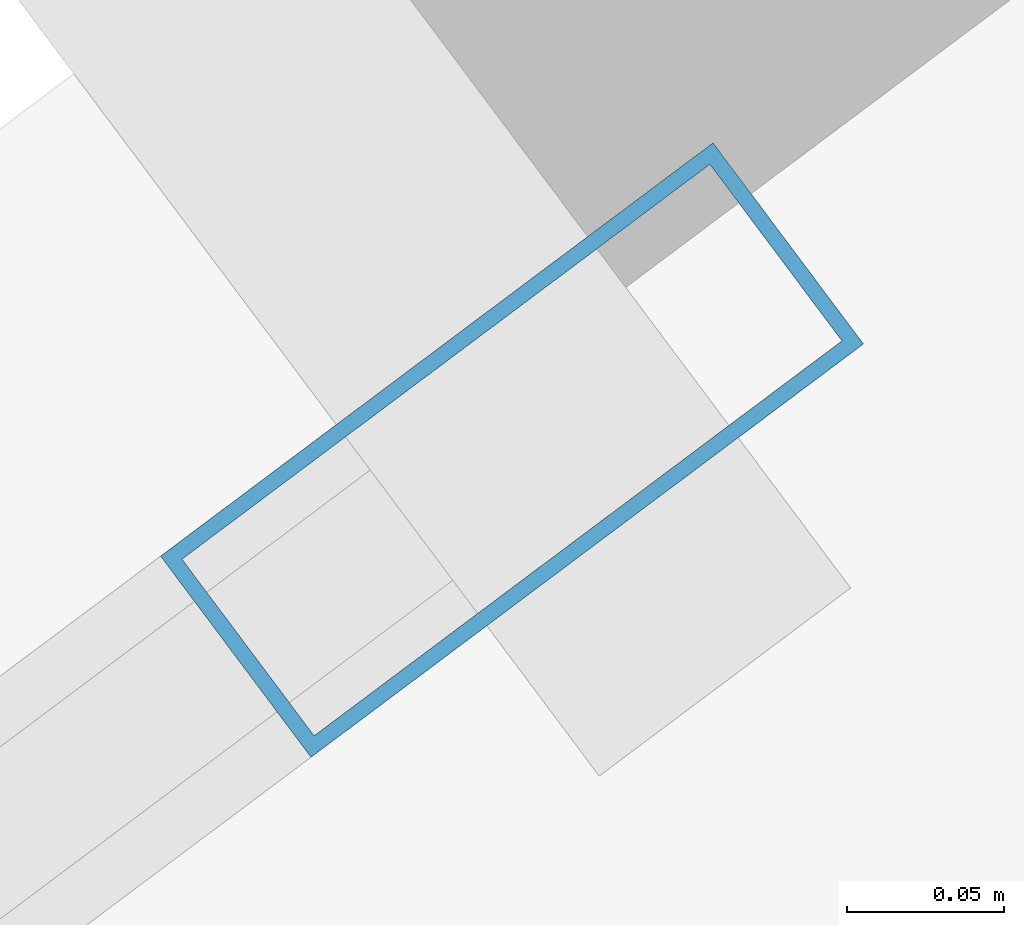
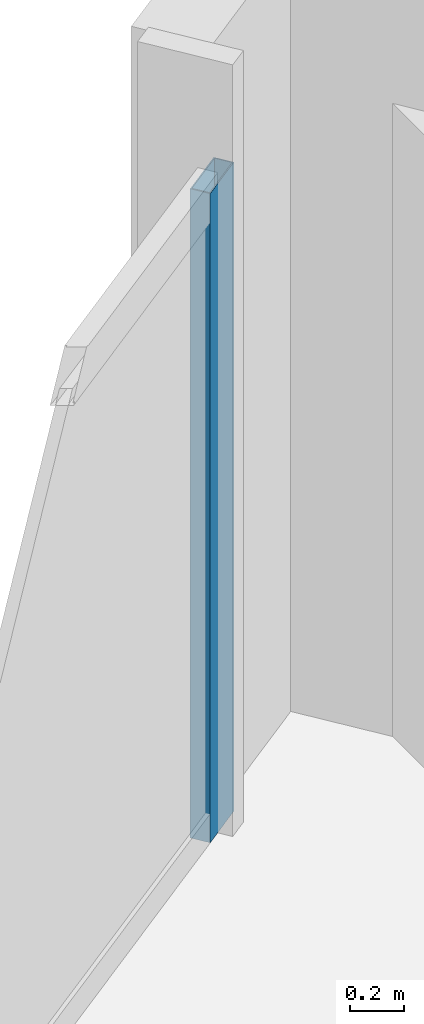
# One storey, part 22 of 32: 1 member, 1 element without a shape of its own.
"""IFC4 building model written with IfcOpenShell, lengths in metres."""

from ifc_helpers import new_model, si_unit, direction, frame, origin, origin_2d, place, context, subcontext, project, spatial, hollow_rectangle, extrude, material, material_profile, profile_set, type_object, element, aggregate, save


model = new_model("IFC4")

# Units and contexts
model_context = context("Model", 3, precision=1e-05, world=origin(), true_north=direction((0.0, 1.0)))
body_context = subcontext(model_context, "Body", "Model", "MODEL_VIEW")
ifc_project = project(units=[si_unit("LENGTHUNIT", "METRE"), si_unit("AREAUNIT", "SQUARE_METRE"), si_unit("VOLUMEUNIT", "CUBIC_METRE"), si_unit("PLANEANGLEUNIT", "RADIAN"), si_unit("MASSUNIT", "GRAM", prefix="KILO")], contexts=[model_context])

# Site, building, storey
site_placement = place(None, origin())
site = spatial("IfcSite", under=ifc_project, at=site_placement, CompositionType="ELEMENT")
building_placement = place(site_placement, origin())
building = spatial("IfcBuilding", under=site, at=building_placement, Name="Haldenkirk Collegiate Tower", CompositionType="ELEMENT")
storey_placement = place(building_placement, frame((0.0, 0.0, 151.949951171875)))
storey = spatial("IfcBuildingStorey", under=building, at=storey_placement, Name="L37", CompositionType="ELEMENT", Elevation=151.949951171875)

# Curtain wall, member
ifc_material = material(Name="Anodised architectural bronze aluminium", Category="aluminium")
curtain_wall_type = type_object("IfcCurtainWallType", Name="CW-SYS1-CONVEX-LOW", PredefinedType="USERDEFINED", material=ifc_material)
curtain_wall_placement = place(storey_placement, origin())
curtain_wall = element("IfcCurtainWall", 1, at=curtain_wall_placement, inside=storey, type_object=curtain_wall_type, Name="L37 Lower tower convex bronze-framed unitised curtain wall", ObjectType="UNITISED CURTAIN WALL", PredefinedType="USERDEFINED")
ifc_material_profile = material_profile(ifc_material, hollow_rectangle(XDim=0.080078125, YDim=0.219970703125, WallThickness=0.0048828125, at=origin_2d()), Name="CW-MUL-1A")
ifc_profile_set = profile_set([ifc_material_profile], Name="Anodised architectural bronze aluminium")
member_type = type_object("IfcMemberType", Name="CW-MUL-1A", PredefinedType="MULLION", material=ifc_profile_set)
member_placement = place(storey_placement, frame((38.07373046875, 57.049560546875, 0.0), z_axis=(0.0, 0.0, 1.0), x_axis=(-0.599025366751, 0.800730048136, 0.0)))
member = element("IfcMember", 2, at=member_placement, type_object=member_type, Name="CW-1A mullion 5", PredefinedType="MULLION", context=body_context, shape_type="SweptSolid", body=[
    extrude(hollow_rectangle(XDim=0.080078125, YDim=0.219970703125, WallThickness=0.0048828125, at=origin_2d()), origin(), (0.0, 0.0, 1.0), 2.9111328125),
])
aggregate(curtain_wall, [member])

save(model, "model.ifc")
